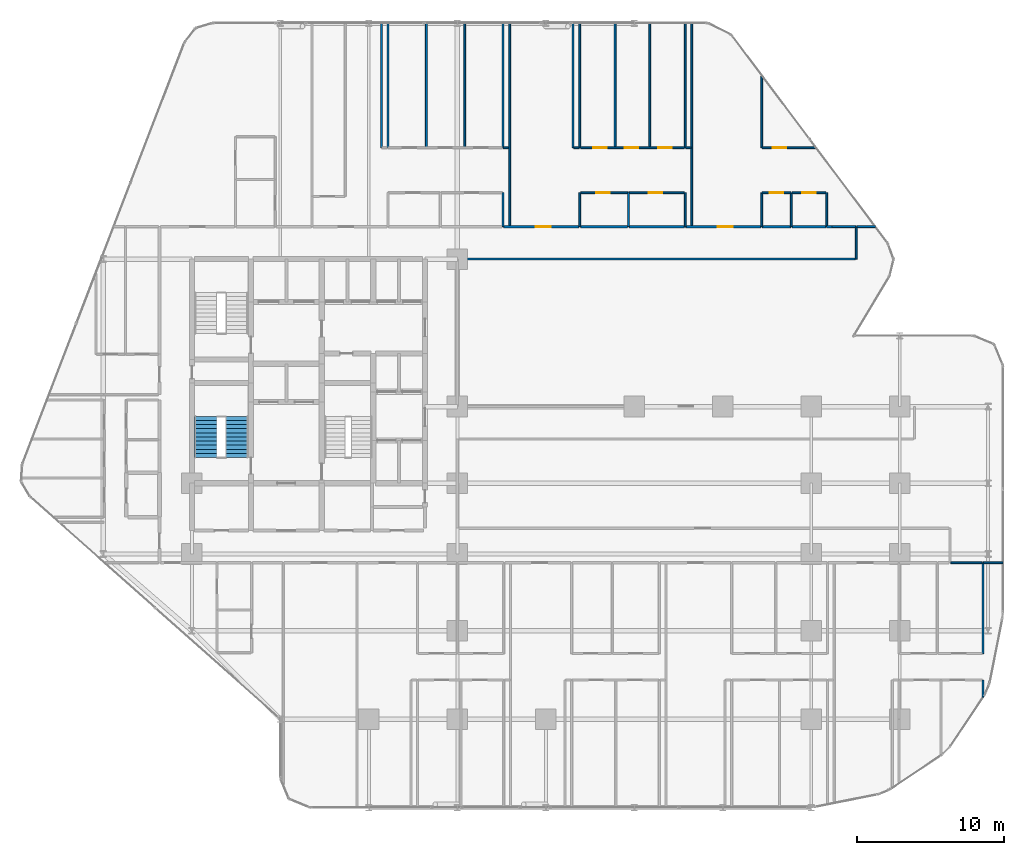
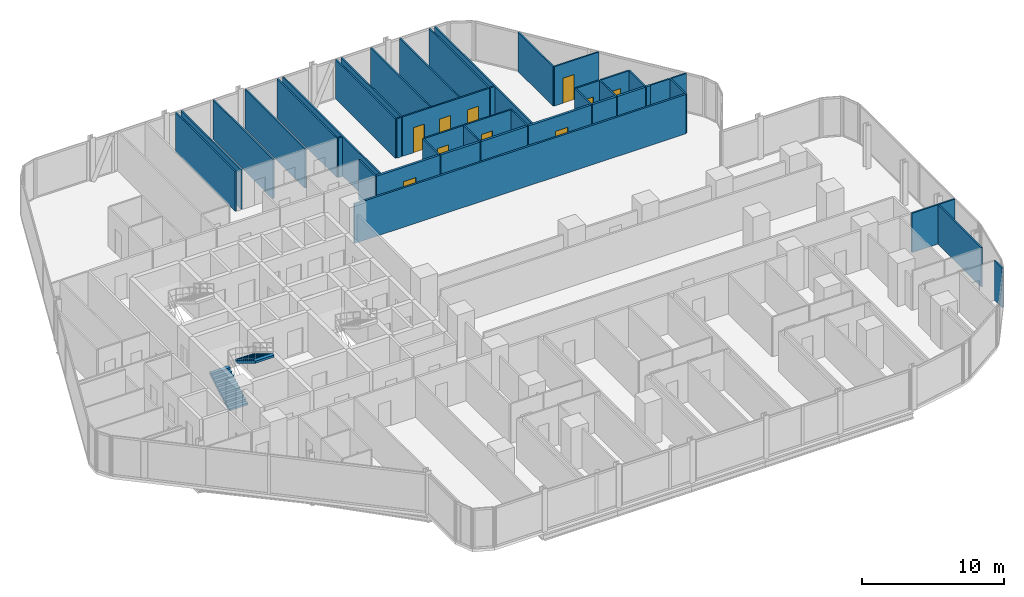
# One storey, part 31 of 33: 44 walls, 10 doors, 2 stair flights, 10 openings, 1 element without a shape of its own.
"""IFC4 building model written with IfcOpenShell, lengths in metres."""

from ifc_helpers import new_model, si_unit, direction, frame, frame_2d, origin, place, context, subcontext, project, spatial, polyline, rectangle, outline, extrude, material, layer, layer_set, type_object, element, fill, aggregate, save


model = new_model("IFC4")

# Units and contexts
model_context = context("Model", 3, precision=1e-05, world=origin(), true_north=direction((0.0, 1.0)))
body_context = subcontext(model_context, "Body", "Model", "MODEL_VIEW")
ifc_project = project(units=[si_unit("LENGTHUNIT", "METRE"), si_unit("AREAUNIT", "SQUARE_METRE"), si_unit("VOLUMEUNIT", "CUBIC_METRE"), si_unit("PLANEANGLEUNIT", "RADIAN"), si_unit("MASSUNIT", "GRAM", prefix="KILO")], contexts=[model_context])

# Site, building, storey
site_placement = place(None, origin())
site = spatial("IfcSite", under=ifc_project, at=site_placement, CompositionType="ELEMENT")
building_placement = place(site_placement, origin())
building = spatial("IfcBuilding", under=site, at=building_placement, Name="Keshet Zoharim Tower", CompositionType="ELEMENT")
storey_placement = place(building_placement, frame((0.0, 0.0, 42.5)))
storey = spatial("IfcBuildingStorey", under=building, at=storey_placement, Name="L09", CompositionType="ELEMENT", Elevation=42.5)

# Wall
ifc_material_1 = material(Name="Gypsum Plasterboard", Category="gypsum")
ifc_layer_1 = layer(ifc_material_1, 0.14990234375)
ifc_layer_set_1 = layer_set([ifc_layer_1], Name="Gypsum Plasterboard")
wall_type_1 = type_object("IfcWallType", Name="WL-CLIN-150", PredefinedType="STANDARD", material=ifc_layer_set_1)
wall_1_placement = place(storey_placement, frame((33.070068359375, 37.89990234375, 0.0), z_axis=(0.0, 0.0, 1.0), x_axis=(1.0, 0.0, 0.0)))
element("IfcWall", 1, at=wall_1_placement, inside=storey, type_object=wall_type_1, Name="L09 Interior Wall 197", PredefinedType="STANDARD", context=body_context, shape_type="SweptSolid", body=[
    extrude(rectangle(XDim=26.934814453125, YDim=0.14990234375, at=frame_2d((13.46728515625, 0.0))), origin(), (0.0, 0.0, 1.0), 3.385009765625),
])

# Wall, opening, door
ifc_layer_2 = layer(ifc_material_1, 0.179931640625)
ifc_layer_set_2 = layer_set([ifc_layer_2], Name="Gypsum Plasterboard")
wall_type_2 = type_object("IfcWallType", Name="WL-CORR-180", PredefinedType="STANDARD", material=ifc_layer_set_2)
wall_2_placement = place(storey_placement, frame((36.125, 40.10009765625, 0.0), z_axis=(0.0, 0.0, 1.0), x_axis=(1.0, 0.0, 0.0)))
wall_2 = element("IfcWall", 2, at=wall_2_placement, inside=storey, type_object=wall_type_2, Name="L09 Interior Wall 206", PredefinedType="STANDARD", context=body_context, shape_type="SweptSolid", body=[
    extrude(rectangle(XDim=5.139892578125, YDim=0.179931640625, at=frame_2d((2.56982421875, 0.0))), origin(), (0.0, 0.0, 1.0), 3.385009765625),
])
opening_1_placement = place(wall_2_placement, frame((2.197998046875, 0.0, 0.0)))
opening_1 = element("IfcOpeningElement", 3, at=opening_1_placement, cuts=wall_2, Name="Opening D-F310", PredefinedType="OPENING", context=body_context, shape_type="SweptSolid", body=[
    extrude(rectangle(XDim=1.0, YDim=2.14990234375, at=frame_2d((0.5, 1.074951171875))), frame((0.0, 0.10009765625, 0.0), z_axis=(0.0, -1.0, 0.0), x_axis=(1.0, 0.0, 0.0)), (0.0, 0.0, 1.0), 0.199951171875),
])
ifc_material_2 = material(Name="Hardwood Timber", Category="wood")
door_type_1 = type_object("IfcDoorType", Name="DR-FD30-100", OperationType="NOTDEFINED", PredefinedType="DOOR", material=ifc_material_2)
door_1_placement = place(opening_1_placement, origin())
door_1 = element("IfcDoor", 4, at=door_1_placement, inside=storey, type_object=door_type_1, Name="Apartment 0908 Entrance Door", OperationType="SINGLE_SWING_RIGHT", OverallHeight=2.14990234375, OverallWidth=1.0, PredefinedType="DOOR", context=body_context, shape_type="SweptSolid", body=[
    extrude(rectangle(XDim=1.0, YDim=2.14990234375, at=frame_2d((0.5, 1.074951171875))), frame((0.0, 0.02490234375, 0.0), z_axis=(0.0, -1.0, 0.0), x_axis=(1.0, 0.0, 0.0)), (0.0, 0.0, 1.0), 0.050048828125),
])
fill(opening_1, door_1)

# Walls
wall_3_placement = place(storey_placement, frame((41.35498046875, 40.10009765625, 0.0), z_axis=(0.0, 0.0, 1.0), x_axis=(1.0, 0.0, 0.0)))
element("IfcWall", 5, at=wall_3_placement, inside=storey, type_object=wall_type_2, Name="L09 Interior Wall 207", PredefinedType="STANDARD", context=body_context, shape_type="SweptSolid", body=[
    extrude(rectangle(XDim=3.18994140625, YDim=0.179931640625, at=frame_2d((1.594970703125, 0.0))), origin(), (0.0, 0.0, 1.0), 3.385009765625),
])
wall_4_placement = place(storey_placement, frame((44.635009765625, 40.10009765625, 0.0), z_axis=(0.0, 0.0, 1.0), x_axis=(1.0, 0.0, 0.0)))
element("IfcWall", 6, at=wall_4_placement, inside=storey, type_object=wall_type_2, Name="L09 Interior Wall 208", PredefinedType="STANDARD", context=body_context, shape_type="SweptSolid", body=[
    extrude(rectangle(XDim=3.760009765625, YDim=0.179931640625, at=frame_2d((1.8798828125, 0.0))), origin(), (0.0, 0.0, 1.0), 3.385009765625),
])

# Wall, opening, door
wall_5_placement = place(storey_placement, frame((48.485107421875, 40.10009765625, 0.0), z_axis=(0.0, 0.0, 1.0), x_axis=(1.0, 0.0, 0.0)))
wall_5 = element("IfcWall", 7, at=wall_5_placement, inside=storey, type_object=wall_type_2, Name="L09 Interior Wall 209", PredefinedType="STANDARD", context=body_context, shape_type="SweptSolid", body=[
    extrude(rectangle(XDim=5.099853515625, YDim=0.179931640625, at=frame_2d((2.5498046875, 0.0))), origin(), (0.0, 0.0, 1.0), 3.385009765625),
])
opening_2_placement = place(wall_5_placement, frame((2.178955078125, 0.0, 0.0)))
opening_2 = element("IfcOpeningElement", 8, at=opening_2_placement, cuts=wall_5, Name="Opening D-F310", PredefinedType="OPENING", context=body_context, shape_type="SweptSolid", body=[
    extrude(rectangle(XDim=1.0, YDim=2.14990234375, at=frame_2d((0.5, 1.074951171875))), frame((0.0, 0.10009765625, 0.0), z_axis=(0.0, -1.0, 0.0), x_axis=(1.0, 0.0, 0.0)), (0.0, 0.0, 1.0), 0.199951171875),
])
door_2_placement = place(opening_2_placement, origin())
door_2 = element("IfcDoor", 9, at=door_2_placement, inside=storey, type_object=door_type_1, Name="Apartment 0909 Entrance Door", OperationType="SINGLE_SWING_LEFT", OverallHeight=2.14990234375, OverallWidth=1.0, PredefinedType="DOOR", context=body_context, shape_type="SweptSolid", body=[
    extrude(rectangle(XDim=1.0, YDim=2.14990234375, at=frame_2d((0.5, 1.074951171875))), frame((0.0, 0.02490234375, 0.0), z_axis=(0.0, -1.0, 0.0), x_axis=(1.0, 0.0, 0.0)), (0.0, 0.0, 1.0), 0.050048828125),
])
fill(opening_2, door_2)

# Walls
wall_6_placement = place(storey_placement, frame((53.675048828125, 40.10009765625, 0.0), z_axis=(0.0, 0.0, 1.0), x_axis=(1.0, 0.0, 0.0)))
element("IfcWall", 10, at=wall_6_placement, inside=storey, type_object=wall_type_2, Name="L09 Interior Wall 210", PredefinedType="STANDARD", context=body_context, shape_type="SweptSolid", body=[
    extrude(rectangle(XDim=1.93798828125, YDim=0.179931640625, at=frame_2d((0.968994140625, 0.0))), origin(), (0.0, 0.0, 1.0), 3.385009765625),
])
wall_7_placement = place(storey_placement, frame((55.702880859375, 40.10009765625, 0.0), z_axis=(0.0, 0.0, 1.0), x_axis=(1.0, 0.0, 0.0)))
element("IfcWall", 11, at=wall_7_placement, inside=storey, type_object=wall_type_2, Name="L09 Interior Wall 211", PredefinedType="STANDARD", context=body_context, shape_type="SweptSolid", body=[
    extrude(rectangle(XDim=2.2900390625, YDim=0.179931640625, at=frame_2d((1.14501953125, 0.0))), origin(), (0.0, 0.0, 1.0), 3.385009765625),
])
wall_8_placement = place(storey_placement, frame((58.050048828125, 40.10009765625, 0.0), z_axis=(0.0, 0.0, 1.0), x_axis=(1.0, 0.0, 0.0)))
element("IfcWall", 12, at=wall_8_placement, inside=storey, type_object=wall_type_2, Name="L09 Interior Wall 212", PredefinedType="STANDARD", context=body_context, shape_type="SweptSolid", body=[
    extrude(rectangle(XDim=0.349853515625, YDim=0.179931640625, at=frame_2d((0.1748046875, 0.0))), origin(), (0.0, 0.0, 1.0), 3.385009765625),
])
ifc_layer_3 = layer(ifc_material_1, 0.1201171875)
ifc_layer_set_3 = layer_set([ifc_layer_3], Name="Gypsum Plasterboard")
wall_type_3 = type_object("IfcWallType", Name="WL-PART-120", PredefinedType="PARTITIONING", material=ifc_layer_set_3)
for number, where, z_axis, x_axis, name in (
    (13, (27.85009765625, 45.449951171875, 0.0), (0.0, 0.0, 1.0), (0.0, 1.0, 0.0), "L09 Interior Wall 052"),
    (14, (28.300048828125, 45.449951171875, 0.0), (0.0, 0.0, 1.0), (0.0, 1.0, 0.0), "L09 Interior Wall 054"),
    (15, (30.89990234375, 45.449951171875, 0.0), (0.0, 0.0, 1.0), (0.0, 1.0, 0.0), "L09 Interior Wall 068"),
    (16, (33.5, 45.449951171875, 0.0), (0.0, 0.0, 1.0), (0.0, 1.0, 0.0), "L09 Interior Wall 074"),
    (17, (36.10009765625, 45.449951171875, 0.0), (0.0, 0.0, 1.0), (0.0, 1.0, 0.0), "L09 Interior Wall 076"),
):
    element("IfcWall", number, at=place(storey_placement, frame(where, z_axis=z_axis, x_axis=x_axis)), inside=storey, type_object=wall_type_3, Name=name, PredefinedType="PARTITIONING", context=body_context, shape_type="SweptSolid", body=[
        extrude(rectangle(XDim=8.43994140625, YDim=0.1201171875, at=frame_2d((4.219970703125, 0.0))), origin(), (0.0, 0.0, 1.0), 3.385009765625),
    ])
wall_9_placement = place(storey_placement, frame((36.550048828125, 40.10009765625, 0.0), z_axis=(0.0, 0.0, 1.0), x_axis=(0.0, 1.0, 0.0)))
element("IfcWall", 18, at=wall_9_placement, inside=storey, type_object=wall_type_3, Name="L09 Interior Wall 079", PredefinedType="PARTITIONING", context=body_context, shape_type="SweptSolid", body=[
    extrude(rectangle(XDim=13.789794921875, YDim=0.1201171875, at=frame_2d((6.89501953125, 0.0))), origin(), (0.0, 0.0, 1.0), 3.385009765625),
])
wall_10_placement = place(storey_placement, frame((40.85009765625, 45.449951171875, 0.0), z_axis=(0.0, 0.0, 1.0), x_axis=(0.0, 1.0, 0.0)))
element("IfcWall", 19, at=wall_10_placement, inside=storey, type_object=wall_type_3, Name="L09 Interior Wall 084", PredefinedType="PARTITIONING", context=body_context, shape_type="SweptSolid", body=[
    extrude(rectangle(XDim=8.43994140625, YDim=0.1201171875, at=frame_2d((4.219970703125, 0.0))), origin(), (0.0, 0.0, 1.0), 3.385009765625),
])
wall_11_placement = place(storey_placement, frame((41.300048828125, 40.10009765625, 0.0), z_axis=(0.0, 0.0, 1.0), x_axis=(0.0, 1.0, 0.0)))
element("IfcWall", 20, at=wall_11_placement, inside=storey, type_object=wall_type_3, Name="L09 Interior Wall 085", PredefinedType="PARTITIONING", context=body_context, shape_type="SweptSolid", body=[
    extrude(rectangle(XDim=2.2998046875, YDim=0.1201171875, at=frame_2d((1.14990234375, 0.0))), origin(), (0.0, 0.0, 1.0), 3.385009765625),
])
for number, where, z_axis, x_axis, name in (
    (21, (41.300048828125, 45.449951171875, 0.0), (0.0, 0.0, 1.0), (0.0, 1.0, 0.0), "L09 Interior Wall 086"),
    (22, (43.699951171875, 45.449951171875, 0.0), (0.0, 0.0, 1.0), (0.0, 1.0, 0.0), "L09 Interior Wall 088"),
    (23, (46.050048828125, 45.449951171875, 0.0), (0.0, 0.0, 1.0), (0.0, 1.0, 0.0), "L09 Interior Wall 091"),
    (24, (48.449951171875, 45.449951171875, 0.0), (0.0, 0.0, 1.0), (0.0, 1.0, 0.0), "L09 Interior Wall 096"),
):
    element("IfcWall", number, at=place(storey_placement, frame(where, z_axis=z_axis, x_axis=x_axis)), inside=storey, type_object=wall_type_3, Name=name, PredefinedType="PARTITIONING", context=body_context, shape_type="SweptSolid", body=[
        extrude(rectangle(XDim=8.43994140625, YDim=0.1201171875, at=frame_2d((4.219970703125, 0.0))), origin(), (0.0, 0.0, 1.0), 3.385009765625),
    ])
wall_12_placement = place(storey_placement, frame((48.89990234375, 40.10009765625, 0.0), z_axis=(0.0, 0.0, 1.0), x_axis=(0.0, 1.0, 0.0)))
element("IfcWall", 25, at=wall_12_placement, inside=storey, type_object=wall_type_3, Name="L09 Interior Wall 097", PredefinedType="PARTITIONING", context=body_context, shape_type="SweptSolid", body=[
    extrude(rectangle(XDim=13.789794921875, YDim=0.1201171875, at=frame_2d((6.89501953125, 0.0))), origin(), (0.0, 0.0, 1.0), 3.385009765625),
])
wall_13_placement = place(storey_placement, frame((53.64990234375, 40.10009765625, 0.0), z_axis=(0.0, 0.0, 1.0), x_axis=(0.0, 1.0, 0.0)))
element("IfcWall", 26, at=wall_13_placement, inside=storey, type_object=wall_type_3, Name="L09 Interior Wall 101", PredefinedType="PARTITIONING", context=body_context, shape_type="SweptSolid", body=[
    extrude(rectangle(XDim=2.2998046875, YDim=0.1201171875, at=frame_2d((1.14990234375, 0.0))), origin(), (0.0, 0.0, 1.0), 3.385009765625),
])
wall_14_placement = place(storey_placement, frame((53.64990234375, 45.449951171875, 0.0), z_axis=(0.0, 0.0, 1.0), x_axis=(0.0, 1.0, 0.0)))
element("IfcWall", 27, at=wall_14_placement, inside=storey, type_object=wall_type_3, Name="L09 Interior Wall 102", PredefinedType="PARTITIONING", context=body_context, shape_type="SweptSolid", body=[
    extrude(rectangle(XDim=4.906982421875, YDim=0.1201171875, at=frame_2d((2.45361328125, 0.0))), origin(), (0.0, 0.0, 1.0), 3.385009765625),
])
wall_15_placement = place(storey_placement, frame((60.050048828125, 37.889892578125, 0.0), z_axis=(0.0, 0.0, 1.0), x_axis=(0.0, 1.0, 0.0)))
element("IfcWall", 28, at=wall_15_placement, inside=storey, type_object=wall_type_3, Name="L09 Interior Wall 110", PredefinedType="PARTITIONING", context=body_context, shape_type="SweptSolid", body=[
    extrude(rectangle(XDim=2.2001953125, YDim=0.1201171875, at=frame_2d((1.10009765625, 0.0))), origin(), (0.0, 0.0, 1.0), 3.385009765625),
])
wall_16_placement = place(storey_placement, frame((68.64990234375, 8.196044921875, 0.0), z_axis=(0.0, 0.0, 1.0), x_axis=(0.0, 1.0, 0.0)))
element("IfcWall", 29, at=wall_16_placement, inside=storey, type_object=wall_type_3, Name="L09 Interior Wall 118", PredefinedType="PARTITIONING", context=body_context, shape_type="SweptSolid", body=[
    extrude(rectangle(XDim=1.154052734375, YDim=0.1201171875, at=frame_2d((0.5771484375, 0.0))), origin(), (0.0, 0.0, 1.0), 3.385009765625),
])
wall_17_placement = place(storey_placement, frame((68.676025390625, 17.300048828125, 0.0), z_axis=(0.0, 0.0, 1.0), x_axis=(1.0, 0.0, 0.0)))
element("IfcWall", 30, at=wall_17_placement, inside=storey, type_object=wall_type_3, Name="L09 Interior Wall 159", PredefinedType="PARTITIONING", context=body_context, shape_type="SweptSolid", body=[
    extrude(rectangle(XDim=1.31396484375, YDim=0.1201171875, at=frame_2d((0.656982421875, 0.0))), origin(), (0.0, 0.0, 1.0), 3.385009765625),
])
wall_18_placement = place(storey_placement, frame((58.39990234375, 40.10009765625, 0.0), z_axis=(0.0, 0.0, 1.0), x_axis=(1.0, 0.0, 0.0)))
element("IfcWall", 31, at=wall_18_placement, inside=storey, type_object=wall_type_3, Name="L09 Interior Wall 213", PredefinedType="PARTITIONING", context=body_context, shape_type="SweptSolid", body=[
    extrude(rectangle(XDim=1.60498046875, YDim=0.1201171875, at=frame_2d((0.802490234375, 0.0))), origin(), (0.0, 0.0, 1.0), 3.385009765625),
])
wall_19_placement = place(storey_placement, frame((60.094970703125, 40.10009765625, 0.0), z_axis=(0.0, 0.0, 1.0), x_axis=(1.0, 0.0, 0.0)))
element("IfcWall", 32, at=wall_19_placement, inside=storey, type_object=wall_type_3, Name="L09 Interior Wall 214", PredefinedType="PARTITIONING", context=body_context, shape_type="SweptSolid", body=[
    extrude(rectangle(XDim=1.2451171875, YDim=0.1201171875, at=frame_2d((0.62255859375, 0.0))), origin(), (0.0, 0.0, 1.0), 3.385009765625),
])

# Wall, opening, door
wall_20_placement = place(storey_placement, frame((41.35498046875, 42.39990234375, 0.0), z_axis=(0.0, 0.0, 1.0), x_axis=(1.0, 0.0, 0.0)))
wall_20 = element("IfcWall", 33, at=wall_20_placement, inside=storey, type_object=wall_type_3, Name="L09 Interior Wall 218", PredefinedType="PARTITIONING", context=body_context, shape_type="SweptSolid", body=[
    extrude(rectangle(XDim=3.18994140625, YDim=0.1201171875, at=frame_2d((1.594970703125, 0.0))), origin(), (0.0, 0.0, 1.0), 3.385009765625),
])
opening_3_placement = place(wall_20_placement, frame((1.072998046875, 0.0, 0.0)))
opening_3 = element("IfcOpeningElement", 34, at=opening_3_placement, cuts=wall_20, Name="Opening D-IN90", PredefinedType="OPENING", context=body_context, shape_type="SweptSolid", body=[
    extrude(rectangle(XDim=0.89990234375, YDim=2.14990234375, at=frame_2d((0.449951171875, 1.074951171875))), frame((0.0, 0.070068359375, 0.0), z_axis=(0.0, -1.0, 0.0), x_axis=(1.0, 0.0, 0.0)), (0.0, 0.0, 1.0), 0.14013671875),
])
door_type_2 = type_object("IfcDoorType", Name="DR-INT-090", OperationType="NOTDEFINED", PredefinedType="DOOR", material=ifc_material_2)
door_3_placement = place(opening_3_placement, origin())
door_3 = element("IfcDoor", 35, at=door_3_placement, inside=storey, type_object=door_type_2, Name="Apartment 0908 Kitchen Door", OperationType="SINGLE_SWING_LEFT", OverallHeight=2.14990234375, OverallWidth=0.89990234375, PredefinedType="DOOR", context=body_context, shape_type="SweptSolid", body=[
    extrude(rectangle(XDim=0.89990234375, YDim=2.14990234375, at=frame_2d((0.449951171875, 1.074951171875))), frame((0.0, 0.02490234375, 0.0), z_axis=(0.0, -1.0, 0.0), x_axis=(1.0, 0.0, 0.0)), (0.0, 0.0, 1.0), 0.050048828125),
])
fill(opening_3, door_3)

wall_21_placement = place(storey_placement, frame((53.675048828125, 42.39990234375, 0.0), z_axis=(0.0, 0.0, 1.0), x_axis=(1.0, 0.0, 0.0)))
wall_21 = element("IfcWall", 36, at=wall_21_placement, inside=storey, type_object=wall_type_3, Name="L09 Interior Wall 220", PredefinedType="PARTITIONING", context=body_context, shape_type="SweptSolid", body=[
    extrude(rectangle(XDim=1.93798828125, YDim=0.1201171875, at=frame_2d((0.968994140625, 0.0))), origin(), (0.0, 0.0, 1.0), 3.385009765625),
])
opening_4_placement = place(wall_21_placement, frame((0.51904296875, 0.0, 0.0)))
opening_4 = element("IfcOpeningElement", 37, at=opening_4_placement, cuts=wall_21, Name="Opening D-IN90", PredefinedType="OPENING", context=body_context, shape_type="SweptSolid", body=[
    extrude(rectangle(XDim=0.89990234375, YDim=2.14990234375, at=frame_2d((0.449951171875, 1.074951171875))), frame((0.0, 0.070068359375, 0.0), z_axis=(0.0, -1.0, 0.0), x_axis=(1.0, 0.0, 0.0)), (0.0, 0.0, 1.0), 0.14013671875),
])
door_4_placement = place(opening_4_placement, origin())
door_4 = element("IfcDoor", 38, at=door_4_placement, inside=storey, type_object=door_type_2, Name="Apartment 0909 Kitchen Door", OperationType="SINGLE_SWING_LEFT", OverallHeight=2.14990234375, OverallWidth=0.89990234375, PredefinedType="DOOR", context=body_context, shape_type="SweptSolid", body=[
    extrude(rectangle(XDim=0.89990234375, YDim=2.14990234375, at=frame_2d((0.449951171875, 1.074951171875))), frame((0.0, 0.02490234375, 0.0), z_axis=(0.0, -1.0, 0.0), x_axis=(1.0, 0.0, 0.0)), (0.0, 0.0, 1.0), 0.050048828125),
])
fill(opening_4, door_4)

# Walls
wall_22_placement = place(storey_placement, frame((36.125, 45.449951171875, 0.0), z_axis=(0.0, 0.0, 1.0), x_axis=(1.0, 0.0, 0.0)))
element("IfcWall", 39, at=wall_22_placement, inside=storey, type_object=wall_type_3, Name="L09 Interior Wall 225", PredefinedType="PARTITIONING", context=body_context, shape_type="SweptSolid", body=[
    extrude(rectangle(XDim=0.360107421875, YDim=0.1201171875, at=frame_2d((0.18017578125, 0.0))), origin(), (0.0, 0.0, 1.0), 3.385009765625),
])
wall_23_placement = place(storey_placement, frame((40.905029296875, 45.449951171875, 0.0), z_axis=(0.0, 0.0, 1.0), x_axis=(1.0, 0.0, 0.0)))
element("IfcWall", 40, at=wall_23_placement, inside=storey, type_object=wall_type_3, Name="L09 Interior Wall 226", PredefinedType="PARTITIONING", context=body_context, shape_type="SweptSolid", body=[
    extrude(rectangle(XDim=0.35986328125, YDim=0.1201171875, at=frame_2d((0.179931640625, 0.0))), origin(), (0.0, 0.0, 1.0), 3.385009765625),
])

# Wall, openings, doors
wall_24_placement = place(storey_placement, frame((41.35498046875, 45.449951171875, 0.0), z_axis=(0.0, 0.0, 1.0), x_axis=(1.0, 0.0, 0.0)))
wall_24 = element("IfcWall", 41, at=wall_24_placement, inside=storey, type_object=wall_type_3, Name="L09 Interior Wall 227", PredefinedType="PARTITIONING", context=body_context, shape_type="SweptSolid", body=[
    extrude(rectangle(XDim=7.0400390625, YDim=0.1201171875, at=frame_2d((3.52001953125, 0.0))), origin(), (0.0, 0.0, 1.0), 3.385009765625),
])
opening_5_placement = place(wall_24_placement, frame((0.867919921875, 0.0, 0.0)))
opening_5 = element("IfcOpeningElement", 42, at=opening_5_placement, cuts=wall_24, Name="Opening D-IN90", PredefinedType="OPENING", context=body_context, shape_type="SweptSolid", body=[
    extrude(rectangle(XDim=0.89990234375, YDim=2.14990234375, at=frame_2d((0.449951171875, 1.074951171875))), frame((0.0, 0.070068359375, 0.0), z_axis=(0.0, -1.0, 0.0), x_axis=(1.0, 0.0, 0.0)), (0.0, 0.0, 1.0), 0.14013671875),
])
opening_6_placement = place(wall_24_placement, frame((2.9990234375, 0.0, 0.0)))
opening_6 = element("IfcOpeningElement", 43, at=opening_6_placement, cuts=wall_24, Name="Opening D-IN90", PredefinedType="OPENING", context=body_context, shape_type="SweptSolid", body=[
    extrude(rectangle(XDim=0.89990234375, YDim=2.14990234375, at=frame_2d((0.449951171875, 1.074951171875))), frame((0.0, 0.070068359375, 0.0), z_axis=(0.0, -1.0, 0.0), x_axis=(1.0, 0.0, 0.0)), (0.0, 0.0, 1.0), 0.14013671875),
])
opening_7_placement = place(wall_24_placement, frame((5.27197265625, 0.0, 0.0)))
opening_7 = element("IfcOpeningElement", 44, at=opening_7_placement, cuts=wall_24, Name="Opening D-IN90", PredefinedType="OPENING", context=body_context, shape_type="SweptSolid", body=[
    extrude(rectangle(XDim=0.89990234375, YDim=2.14990234375, at=frame_2d((0.449951171875, 1.074951171875))), frame((0.0, 0.070068359375, 0.0), z_axis=(0.0, -1.0, 0.0), x_axis=(1.0, 0.0, 0.0)), (0.0, 0.0, 1.0), 0.14013671875),
])
door_5_placement = place(opening_5_placement, origin())
door_5 = element("IfcDoor", 45, at=door_5_placement, inside=storey, type_object=door_type_2, Name="Apartment 0908 Bedroom 1 Door", OperationType="SINGLE_SWING_RIGHT", OverallHeight=2.14990234375, OverallWidth=0.89990234375, PredefinedType="DOOR", context=body_context, shape_type="SweptSolid", body=[
    extrude(rectangle(XDim=0.89990234375, YDim=2.14990234375, at=frame_2d((0.449951171875, 1.074951171875))), frame((0.0, 0.02490234375, 0.0), z_axis=(0.0, -1.0, 0.0), x_axis=(1.0, 0.0, 0.0)), (0.0, 0.0, 1.0), 0.050048828125),
])
fill(opening_5, door_5)
door_6_placement = place(opening_6_placement, origin())
door_6 = element("IfcDoor", 46, at=door_6_placement, inside=storey, type_object=door_type_2, Name="Apartment 0908 Bedroom 2 Door", OperationType="SINGLE_SWING_LEFT", OverallHeight=2.14990234375, OverallWidth=0.89990234375, PredefinedType="DOOR", context=body_context, shape_type="SweptSolid", body=[
    extrude(rectangle(XDim=0.89990234375, YDim=2.14990234375, at=frame_2d((0.449951171875, 1.074951171875))), frame((0.0, 0.02490234375, 0.0), z_axis=(0.0, -1.0, 0.0), x_axis=(1.0, 0.0, 0.0)), (0.0, 0.0, 1.0), 0.050048828125),
])
fill(opening_6, door_6)
door_7_placement = place(opening_7_placement, origin())
door_7 = element("IfcDoor", 47, at=door_7_placement, inside=storey, type_object=door_type_2, Name="Apartment 0908 Bedroom 3 Door", OperationType="SINGLE_SWING_RIGHT", OverallHeight=2.14990234375, OverallWidth=0.89990234375, PredefinedType="DOOR", context=body_context, shape_type="SweptSolid", body=[
    extrude(rectangle(XDim=0.89990234375, YDim=2.14990234375, at=frame_2d((0.449951171875, 1.074951171875))), frame((0.0, 0.02490234375, 0.0), z_axis=(0.0, -1.0, 0.0), x_axis=(1.0, 0.0, 0.0)), (0.0, 0.0, 1.0), 0.050048828125),
])
fill(opening_7, door_7)

# Wall
wall_25_placement = place(storey_placement, frame((48.485107421875, 45.449951171875, 0.0), z_axis=(0.0, 0.0, 1.0), x_axis=(1.0, 0.0, 0.0)))
element("IfcWall", 48, at=wall_25_placement, inside=storey, type_object=wall_type_3, Name="L09 Interior Wall 228", PredefinedType="PARTITIONING", context=body_context, shape_type="SweptSolid", body=[
    extrude(rectangle(XDim=0.35986328125, YDim=0.1201171875, at=frame_2d((0.179931640625, 0.0))), origin(), (0.0, 0.0, 1.0), 3.385009765625),
])

# Wall, opening, door
wall_26_placement = place(storey_placement, frame((53.675048828125, 45.449951171875, 0.0), z_axis=(0.0, 0.0, 1.0), x_axis=(1.0, 0.0, 0.0)))
wall_26 = element("IfcWall", 49, at=wall_26_placement, inside=storey, type_object=wall_type_3, Name="L09 Interior Wall 229", PredefinedType="PARTITIONING", context=body_context, shape_type="SweptSolid", body=[
    extrude(rectangle(XDim=3.65283203125, YDim=0.1201171875, at=frame_2d((1.826416015625, 0.0))), origin(), (0.0, 0.0, 1.0), 3.385009765625),
])
opening_8_placement = place(wall_26_placement, frame((0.715087890625, 0.0, 0.0)))
opening_8 = element("IfcOpeningElement", 50, at=opening_8_placement, cuts=wall_26, Name="Opening D-IN90", PredefinedType="OPENING", context=body_context, shape_type="SweptSolid", body=[
    extrude(rectangle(XDim=0.89990234375, YDim=2.14990234375, at=frame_2d((0.449951171875, 1.074951171875))), frame((0.0, 0.070068359375, 0.0), z_axis=(0.0, -1.0, 0.0), x_axis=(1.0, 0.0, 0.0)), (0.0, 0.0, 1.0), 0.14013671875),
])
door_8_placement = place(opening_8_placement, origin())
door_8 = element("IfcDoor", 51, at=door_8_placement, inside=storey, type_object=door_type_2, Name="Apartment 0909 Bedroom 1 Door", OperationType="SINGLE_SWING_LEFT", OverallHeight=2.14990234375, OverallWidth=0.89990234375, PredefinedType="DOOR", context=body_context, shape_type="SweptSolid", body=[
    extrude(rectangle(XDim=0.89990234375, YDim=2.14990234375, at=frame_2d((0.449951171875, 1.074951171875))), frame((0.0, 0.02490234375, 0.0), z_axis=(0.0, -1.0, 0.0), x_axis=(1.0, 0.0, 0.0)), (0.0, 0.0, 1.0), 0.050048828125),
])
fill(opening_8, door_8)

# Walls
ifc_layer_4 = layer(ifc_material_1, 0.1201171875)
ifc_layer_set_4 = layer_set([ifc_layer_4], Name="Gypsum Plasterboard")
wall_type_4 = type_object("IfcWallType", Name="WL-WET-120", PredefinedType="PARTITIONING", material=ifc_layer_set_4)
for number, where, z_axis, x_axis, name in (
    (52, (36.10009765625, 40.10009765625, 0.0), (0.0, 0.0, 1.0), (0.0, 1.0, 0.0), "L09 Interior Wall 075"),
    (53, (44.60009765625, 40.10009765625, 0.0), (0.0, 0.0, 1.0), (0.0, 1.0, 0.0), "L09 Interior Wall 090"),
    (54, (48.449951171875, 40.10009765625, 0.0), (0.0, 0.0, 1.0), (0.0, 1.0, 0.0), "L09 Interior Wall 095"),
    (55, (55.64990234375, 40.10009765625, 0.0), (0.0, 0.0, 1.0), (0.0, 1.0, 0.0), "L09 Interior Wall 105"),
    (56, (58.050048828125, 40.10009765625, 0.0), (0.0, 0.0, 1.0), (0.0, 1.0, 0.0), "L09 Interior Wall 106"),
):
    element("IfcWall", number, at=place(storey_placement, frame(where, z_axis=z_axis, x_axis=x_axis)), inside=storey, type_object=wall_type_4, Name=name, PredefinedType="PARTITIONING", context=body_context, shape_type="SweptSolid", body=[
        extrude(rectangle(XDim=2.2998046875, YDim=0.1201171875, at=frame_2d((1.14990234375, 0.0))), origin(), (0.0, 0.0, 1.0), 3.385009765625),
    ])
wall_27_placement = place(storey_placement, frame((68.64990234375, 11.14990234375, 0.0), z_axis=(0.0, 0.0, 1.0), x_axis=(0.0, 1.0, 0.0)))
element("IfcWall", 57, at=wall_27_placement, inside=storey, type_object=wall_type_4, Name="L09 Interior Wall 119", PredefinedType="PARTITIONING", context=body_context, shape_type="SweptSolid", body=[
    extrude(rectangle(XDim=6.150146484375, YDim=0.1201171875, at=frame_2d((3.0751953125, 0.0))), origin(), (0.0, 0.0, 1.0), 3.385009765625),
])
wall_28_placement = place(storey_placement, frame((66.469970703125, 17.300048828125, 0.0), z_axis=(0.0, 0.0, 1.0), x_axis=(1.0, 0.0, 0.0)))
element("IfcWall", 58, at=wall_28_placement, inside=storey, type_object=wall_type_4, Name="L09 Interior Wall 158", PredefinedType="PARTITIONING", context=body_context, shape_type="SweptSolid", body=[
    extrude(rectangle(XDim=2.115966796875, YDim=0.1201171875, at=frame_2d((1.05810546875, 0.0))), origin(), (0.0, 0.0, 1.0), 3.385009765625),
])

# Wall, opening, door
wall_29_placement = place(storey_placement, frame((44.635009765625, 42.39990234375, 0.0), z_axis=(0.0, 0.0, 1.0), x_axis=(1.0, 0.0, 0.0)))
wall_29 = element("IfcWall", 59, at=wall_29_placement, inside=storey, type_object=wall_type_4, Name="L09 Interior Wall 219", PredefinedType="PARTITIONING", context=body_context, shape_type="SweptSolid", body=[
    extrude(rectangle(XDim=3.760009765625, YDim=0.1201171875, at=frame_2d((1.8798828125, 0.0))), origin(), (0.0, 0.0, 1.0), 3.385009765625),
])
opening_9_placement = place(wall_29_placement, frame((1.35791015625, 0.0, 0.0)))
opening_9 = element("IfcOpeningElement", 60, at=opening_9_placement, cuts=wall_29, Name="Opening D-WT90", PredefinedType="OPENING", context=body_context, shape_type="SweptSolid", body=[
    extrude(rectangle(XDim=0.89990234375, YDim=2.10009765625, at=frame_2d((0.449951171875, 1.050048828125))), frame((0.0, 0.070068359375, 0.0), z_axis=(0.0, -1.0, 0.0), x_axis=(1.0, 0.0, 0.0)), (0.0, 0.0, 1.0), 0.14013671875),
])
door_type_3 = type_object("IfcDoorType", Name="DR-WET-090", OperationType="NOTDEFINED", PredefinedType="DOOR", material=ifc_material_2)
door_9_placement = place(opening_9_placement, origin())
door_9 = element("IfcDoor", 61, at=door_9_placement, inside=storey, type_object=door_type_3, Name="Apartment 0908 Bathroom Door", OperationType="SINGLE_SWING_RIGHT", OverallHeight=2.10009765625, OverallWidth=0.89990234375, PredefinedType="DOOR", context=body_context, shape_type="SweptSolid", body=[
    extrude(rectangle(XDim=0.89990234375, YDim=2.10009765625, at=frame_2d((0.449951171875, 1.050048828125))), frame((0.0, 0.02490234375, 0.0), z_axis=(0.0, -1.0, 0.0), x_axis=(1.0, 0.0, 0.0)), (0.0, 0.0, 1.0), 0.050048828125),
])
fill(opening_9, door_9)

wall_30_placement = place(storey_placement, frame((55.702880859375, 42.39990234375, 0.0), z_axis=(0.0, 0.0, 1.0), x_axis=(1.0, 0.0, 0.0)))
wall_30 = element("IfcWall", 62, at=wall_30_placement, inside=storey, type_object=wall_type_4, Name="L09 Interior Wall 221", PredefinedType="PARTITIONING", context=body_context, shape_type="SweptSolid", body=[
    extrude(rectangle(XDim=2.2900390625, YDim=0.1201171875, at=frame_2d((1.14501953125, 0.0))), origin(), (0.0, 0.0, 1.0), 3.385009765625),
])
opening_10_placement = place(wall_30_placement, frame((0.695068359375, 0.0, 0.0)))
opening_10 = element("IfcOpeningElement", 63, at=opening_10_placement, cuts=wall_30, Name="Opening D-WT90", PredefinedType="OPENING", context=body_context, shape_type="SweptSolid", body=[
    extrude(rectangle(XDim=0.89990234375, YDim=2.10009765625, at=frame_2d((0.449951171875, 1.050048828125))), frame((0.0, 0.070068359375, 0.0), z_axis=(0.0, -1.0, 0.0), x_axis=(1.0, 0.0, 0.0)), (0.0, 0.0, 1.0), 0.14013671875),
])
door_10_placement = place(opening_10_placement, origin())
door_10 = element("IfcDoor", 64, at=door_10_placement, inside=storey, type_object=door_type_3, Name="Apartment 0909 Bathroom Door", OperationType="SINGLE_SWING_RIGHT", OverallHeight=2.10009765625, OverallWidth=0.89990234375, PredefinedType="DOOR", context=body_context, shape_type="SweptSolid", body=[
    extrude(rectangle(XDim=0.89990234375, YDim=2.10009765625, at=frame_2d((0.449951171875, 1.050048828125))), frame((0.0, 0.02490234375, 0.0), z_axis=(0.0, -1.0, 0.0), x_axis=(1.0, 0.0, 0.0)), (0.0, 0.0, 1.0), 0.050048828125),
])
fill(opening_10, door_10)

# Stair, stair flights
ifc_material_3 = material(Name="Concrete C50/60", Category="concrete")
stair_type = type_object("IfcStairType", Name="STR-EXIT-135", PredefinedType="HALF_TURN_STAIR", material=ifc_material_3)
stair_placement = place(storey_placement, origin())
stair = element("IfcStair", 65, at=stair_placement, inside=storey, type_object=stair_type, Name="L09 Enclosed Exit Stair ST-01", PredefinedType="HALF_TURN_STAIR")
stair_flight_type = type_object("IfcStairFlightType", Name="FLT-PRE-135", PredefinedType="STRAIGHT", material=ifc_material_3)
stair_flight_1_placement = place(storey_placement, frame((15.945068359375, 24.43994140625, 0.0), z_axis=(0.0, 0.0, 1.0), x_axis=(0.0, 1.0, 0.0)))
stair_flight_1 = element("IfcStairFlight", 66, at=stair_flight_1_placement, type_object=stair_flight_type, Name="ST-01 flight 1", NumberOfRisers=11, NumberOfTreads=10, PredefinedType="STRAIGHT", RiserHeight=0.168182, TreadLength=0.28, context=body_context, shape_type="SweptSolid", body=[
    extrude(outline(polyline([(0.0, 0.0), (0.0, 0.168212890625), (0.280029296875, 0.168212890625), (0.280029296875, 0.33642578125), (0.56005859375, 0.33642578125), (0.56005859375, 0.504638671875), (0.840087890625, 0.504638671875), (0.840087890625, 0.672607421875), (1.1201171875, 0.672607421875), (1.1201171875, 0.8408203125), (1.39990234375, 0.8408203125), (1.39990234375, 1.009033203125), (1.679931640625, 1.009033203125), (1.679931640625, 1.17724609375), (1.9599609375, 1.17724609375), (1.9599609375, 1.345458984375), (2.239990234375, 1.345458984375), (2.239990234375, 1.513671875), (2.52001953125, 1.513671875), (2.52001953125, 1.681884765625), (2.800048828125, 1.681884765625), (2.800048828125, 1.85009765625), (2.800048828125, 1.495361328125), (0.310546875, 0.0), (0.0, 0.0)])), frame((0.0, 0.76513671875, 0.0), z_axis=(0.0, -1.0, 0.0), x_axis=(1.0, 0.0, 0.0)), (0.0, 0.0, 1.0), 1.530029296875),
])
stair_flight_2_placement = place(storey_placement, frame((18.054931640625, 27.239990234375, 1.85009765625), z_axis=(0.0, 0.0, 1.0), x_axis=(0.0, -1.0, 0.0)))
stair_flight_2 = element("IfcStairFlight", 67, at=stair_flight_2_placement, type_object=stair_flight_type, Name="ST-01 flight 2", NumberOfRisers=11, NumberOfTreads=10, PredefinedType="STRAIGHT", RiserHeight=0.168182, TreadLength=0.28, context=body_context, shape_type="SweptSolid", body=[
    extrude(outline(polyline([(0.0, 0.0), (0.0, 0.168212890625), (0.280029296875, 0.168212890625), (0.280029296875, 0.33642578125), (0.56005859375, 0.33642578125), (0.56005859375, 0.504638671875), (0.840087890625, 0.504638671875), (0.840087890625, 0.672607421875), (1.1201171875, 0.672607421875), (1.1201171875, 0.8408203125), (1.39990234375, 0.8408203125), (1.39990234375, 1.009033203125), (1.679931640625, 1.009033203125), (1.679931640625, 1.17724609375), (1.9599609375, 1.17724609375), (1.9599609375, 1.345458984375), (2.239990234375, 1.345458984375), (2.239990234375, 1.513671875), (2.52001953125, 1.513671875), (2.52001953125, 1.681884765625), (2.800048828125, 1.681884765625), (2.800048828125, 1.85009765625), (2.800048828125, 1.495361328125), (0.310546875, 0.0), (0.0, 0.0)])), frame((0.0, 0.76513671875, 0.0), z_axis=(0.0, -1.0, 0.0), x_axis=(1.0, 0.0, 0.0)), (0.0, 0.0, 1.0), 1.530029296875),
])
aggregate(stair, [stair_flight_1, stair_flight_2])

save(model, "model.ifc")
